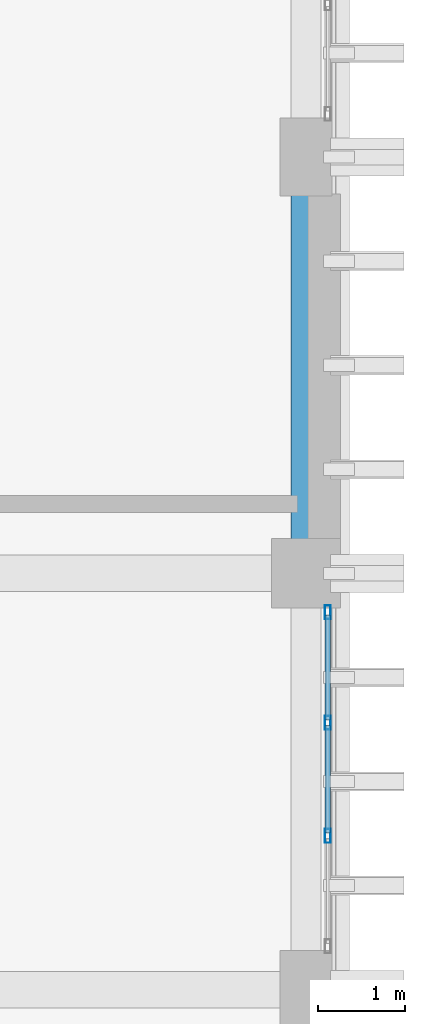
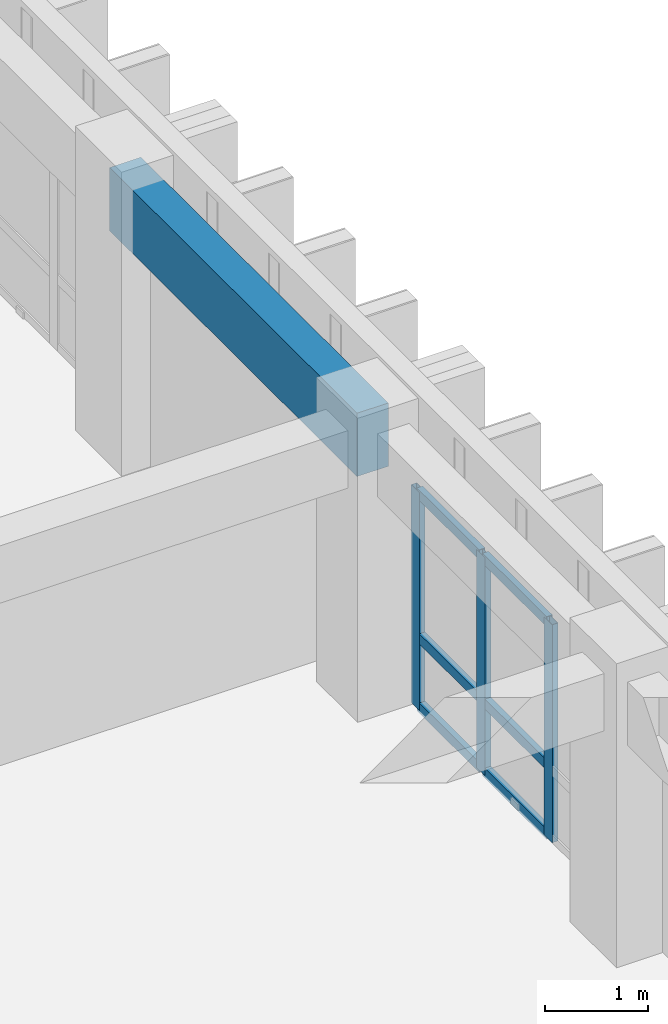
# One storey, part 10 of 82: 9 members, 1 beam, 1 element without a shape of its own.
"""IFC4 building model written with IfcOpenShell, lengths in metres."""

from ifc_helpers import new_model, si_unit, direction, frame, origin, origin_2d, place, context, subcontext, project, spatial, rectangle, hollow_rectangle, extrude, material, layer, layer_set, material_profile, profile_set, type_object, element, aggregate, save


model = new_model("IFC4")

# Units and contexts
model_context = context("Model", 3, precision=1e-05, world=origin(), true_north=direction((0.0, 1.0)))
body_context = subcontext(model_context, "Body", "Model", "MODEL_VIEW")
ifc_project = project(units=[si_unit("LENGTHUNIT", "METRE"), si_unit("AREAUNIT", "SQUARE_METRE"), si_unit("VOLUMEUNIT", "CUBIC_METRE"), si_unit("PLANEANGLEUNIT", "RADIAN"), si_unit("MASSUNIT", "GRAM", prefix="KILO")], contexts=[model_context])

# Site, building, storey
site_placement = place(None, origin())
site = spatial("IfcSite", under=ifc_project, at=site_placement, CompositionType="ELEMENT")
building_placement = place(site_placement, origin())
building = spatial("IfcBuilding", under=site, at=building_placement, Name="Nakhvara Creek Congress Hotel", CompositionType="ELEMENT")
storey_placement = place(building_placement, frame((0.0, 0.0, 21.0)))
storey = spatial("IfcBuildingStorey", under=building, at=storey_placement, Name="L04", CompositionType="ELEMENT", Elevation=21.0)

# Beam
ifc_material_1 = material(Name="Concrete C40/50", Category="concrete")
ifc_material_profile_1 = material_profile(ifc_material_1, rectangle(XDim=0.35009765625, YDim=0.75, at=origin_2d()), Name="RC-SPANDREL 350x750", Category="LoadBearing")
ifc_profile_set_1 = profile_set([ifc_material_profile_1], Name="Concrete C40/50")
beam_type = type_object("IfcBeamType", Name="BM-SPN-350X750", PredefinedType="SPANDREL", material=ifc_profile_set_1)
beam_placement = place(storey_placement, frame((179.35009765625, 28.800048828125, 2.965087890625), z_axis=(0.0, 1.0, 0.0), x_axis=(-1.0, 0.0, 0.0)))
element("IfcBeam", 1, at=beam_placement, inside=storey, type_object=beam_type, Name="Beam SP1-L04-2009", PredefinedType="SPANDREL", context=body_context, shape_type="SweptSolid", body=[
    extrude(rectangle(XDim=0.35009765625, YDim=0.75, at=origin_2d()), origin(), (0.0, 0.0, 1.0), 4.800048828125),
])

# Curtain wall, members
ifc_material_2 = material(Name="Bronze-anodised aluminium AW-6063-T6 and double-silver low-E glass", Category="aluminium")
ifc_layer = layer(ifc_material_2, 0.199951171875)
ifc_layer_set = layer_set([ifc_layer], Name="Bronze-anodised aluminium AW-6063-T6 and double-silver low-E glass")
curtain_wall_type = type_object("IfcCurtainWallType", Name="CW-HTL-UNIT", PredefinedType="USERDEFINED", material=ifc_layer_set)
curtain_wall_placement = place(storey_placement, origin())
curtain_wall = element("IfcCurtainWall", 2, at=curtain_wall_placement, inside=storey, type_object=curtain_wall_type, Name="Curtain Wall CW174", ObjectType="UNITISED", PredefinedType="USERDEFINED")
ifc_material_3 = material(Name="Bronze-anodised aluminium AW-6063-T6", Category="aluminium")
ifc_material_profile_2 = material_profile(ifc_material_3, hollow_rectangle(XDim=0.06494140625, YDim=0.159912109375, WallThickness=0.00390625, at=origin_2d()), Name="ALU-MULL 65x160x4", Category="LoadBearing")
ifc_profile_set_2 = profile_set([ifc_material_profile_2], Name="Bronze-anodised aluminium AW-6063-T6")
member_type_1 = type_object("IfcMemberType", Name="CW-MULL-160", PredefinedType="MULLION", material=ifc_profile_set_2)
member_1_placement = place(storey_placement, frame((179.60009765625, 28.3525390625, 0.0), z_axis=(0.0, 0.0, 1.0), x_axis=(1.0, 0.0, 0.0)))
member_1 = element("IfcMember", 3, at=member_1_placement, type_object=member_type_1, Name="CW174 mullion 1", PredefinedType="MULLION", context=body_context, shape_type="SweptSolid", body=[
    extrude(hollow_rectangle(XDim=0.06494140625, YDim=0.159912109375, WallThickness=0.00390625, at=origin_2d()), origin(), (0.0, 0.0, 1.0), 2.58203125),
])
member_2_placement = place(storey_placement, frame((179.60009765625, 27.078369140625, 0.0), z_axis=(0.0, 0.0, 1.0), x_axis=(1.0, 0.0, 0.0)))
member_2 = element("IfcMember", 4, at=member_2_placement, type_object=member_type_1, Name="CW174 mullion 2", PredefinedType="MULLION", context=body_context, shape_type="SweptSolid", body=[
    extrude(hollow_rectangle(XDim=0.06494140625, YDim=0.159912109375, WallThickness=0.00390625, at=origin_2d()), origin(), (0.0, 0.0, 1.0), 2.58203125),
])
member_3_placement = place(storey_placement, frame((179.60009765625, 25.771728515625, 0.0), z_axis=(0.0, 0.0, 1.0), x_axis=(1.0, 0.0, 0.0)))
member_3 = element("IfcMember", 5, at=member_3_placement, type_object=member_type_1, Name="CW174 mullion 3", PredefinedType="MULLION", context=body_context, shape_type="SweptSolid", body=[
    extrude(hollow_rectangle(XDim=0.06494140625, YDim=0.159912109375, WallThickness=0.00390625, at=origin_2d()), origin(), (0.0, 0.0, 1.0), 2.58203125),
])
ifc_material_profile_3 = material_profile(ifc_material_3, hollow_rectangle(XDim=0.06494140625, YDim=0.1201171875, WallThickness=0.00390625, at=origin_2d()), Name="ALU-TRAN 65x120x4", Category="LoadBearing")
ifc_profile_set_3 = profile_set([ifc_material_profile_3], Name="Bronze-anodised aluminium AW-6063-T6")
member_type_2 = type_object("IfcMemberType", Name="CW-TRAN-120", PredefinedType="USERDEFINED", material=ifc_profile_set_3)
member_4_placement = place(storey_placement, frame((179.60009765625, 28.320068359375, 0.032470703125), z_axis=(0.0, -1.0, 0.0), x_axis=(1.0, 0.0, 0.0)))
member_4 = element("IfcMember", 6, at=member_4_placement, type_object=member_type_2, Name="CW174 transom 1.1", ObjectType="TRANSOM", PredefinedType="USERDEFINED", context=body_context, shape_type="SweptSolid", body=[
    extrude(hollow_rectangle(XDim=0.06494140625, YDim=0.1201171875, WallThickness=0.00390625, at=origin_2d()), origin(), (0.0, 0.0, 1.0), 1.209228515625),
])
member_5_placement = place(storey_placement, frame((179.60009765625, 28.320068359375, 0.85009765625), z_axis=(0.0, -1.0, 0.0), x_axis=(1.0, 0.0, 0.0)))
member_5 = element("IfcMember", 7, at=member_5_placement, type_object=member_type_2, Name="CW174 transom 1.2", ObjectType="TRANSOM", PredefinedType="USERDEFINED", context=body_context, shape_type="SweptSolid", body=[
    extrude(hollow_rectangle(XDim=0.06494140625, YDim=0.1201171875, WallThickness=0.00390625, at=origin_2d()), origin(), (0.0, 0.0, 1.0), 1.209228515625),
])
member_6_placement = place(storey_placement, frame((179.60009765625, 28.320068359375, 2.549560546875), z_axis=(0.0, -1.0, 0.0), x_axis=(1.0, 0.0, 0.0)))
member_6 = element("IfcMember", 8, at=member_6_placement, type_object=member_type_2, Name="CW174 transom 1.3", ObjectType="TRANSOM", PredefinedType="USERDEFINED", context=body_context, shape_type="SweptSolid", body=[
    extrude(hollow_rectangle(XDim=0.06494140625, YDim=0.1201171875, WallThickness=0.00390625, at=origin_2d()), origin(), (0.0, 0.0, 1.0), 1.209228515625),
])
member_7_placement = place(storey_placement, frame((179.60009765625, 27.0458984375, 0.032470703125), z_axis=(0.0, -1.0, 0.0), x_axis=(1.0, 0.0, 0.0)))
member_7 = element("IfcMember", 9, at=member_7_placement, type_object=member_type_2, Name="CW174 transom 2.1", ObjectType="TRANSOM", PredefinedType="USERDEFINED", context=body_context, shape_type="SweptSolid", body=[
    extrude(hollow_rectangle(XDim=0.06494140625, YDim=0.1201171875, WallThickness=0.00390625, at=origin_2d()), origin(), (0.0, 0.0, 1.0), 1.24169921875),
])
member_8_placement = place(storey_placement, frame((179.60009765625, 27.0458984375, 0.85009765625), z_axis=(0.0, -1.0, 0.0), x_axis=(1.0, 0.0, 0.0)))
member_8 = element("IfcMember", 10, at=member_8_placement, type_object=member_type_2, Name="CW174 transom 2.2", ObjectType="TRANSOM", PredefinedType="USERDEFINED", context=body_context, shape_type="SweptSolid", body=[
    extrude(hollow_rectangle(XDim=0.06494140625, YDim=0.1201171875, WallThickness=0.00390625, at=origin_2d()), origin(), (0.0, 0.0, 1.0), 1.24169921875),
])
member_9_placement = place(storey_placement, frame((179.60009765625, 27.0458984375, 2.549560546875), z_axis=(0.0, -1.0, 0.0), x_axis=(1.0, 0.0, 0.0)))
member_9 = element("IfcMember", 11, at=member_9_placement, type_object=member_type_2, Name="CW174 transom 2.3", ObjectType="TRANSOM", PredefinedType="USERDEFINED", context=body_context, shape_type="SweptSolid", body=[
    extrude(hollow_rectangle(XDim=0.06494140625, YDim=0.1201171875, WallThickness=0.00390625, at=origin_2d()), origin(), (0.0, 0.0, 1.0), 1.24169921875),
])
aggregate(curtain_wall, [member_1, member_2, member_3, member_4, member_5, member_6, member_7, member_8, member_9])

save(model, "model.ifc")
